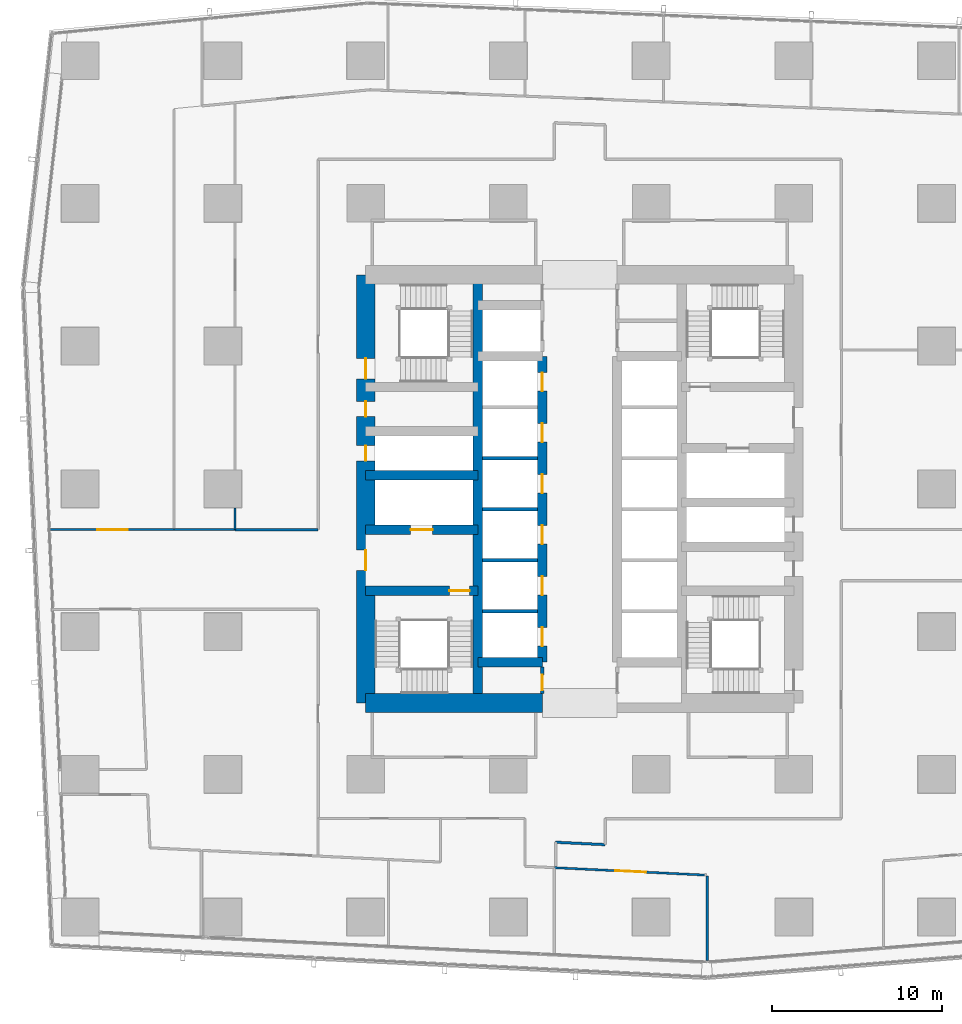
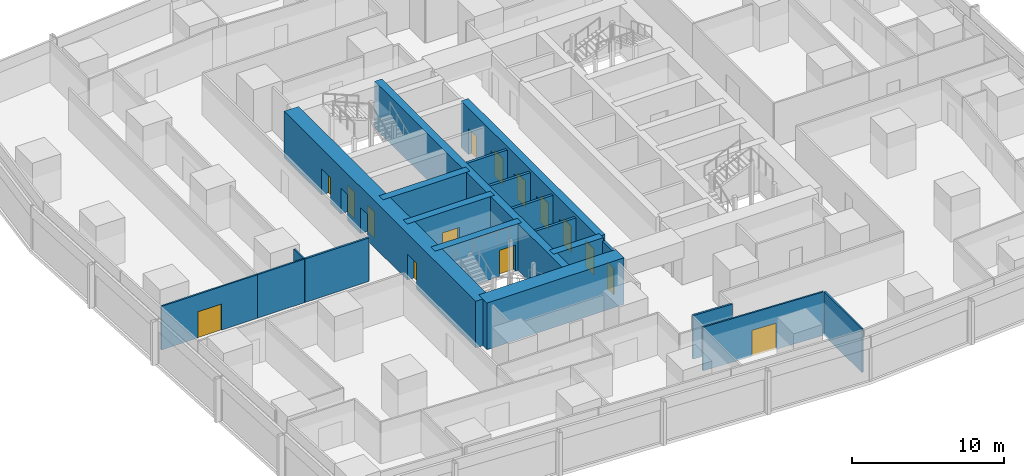
# One storey, part 32 of 44: 20 walls, 15 doors, 15 openings.
"""IFC4 building model written with IfcOpenShell, lengths in metres."""

from ifc_helpers import new_model, si_unit, direction, frame, frame_2d, origin, place, context, subcontext, project, spatial, rectangle, extrude, material, layer, layer_set, type_object, element, fill, save


model = new_model("IFC4")

# Units and contexts
model_context = context("Model", 3, precision=1e-05, world=origin(), true_north=direction((0.0, 1.0)))
body_context = subcontext(model_context, "Body", "Model", "MODEL_VIEW")
ifc_project = project(units=[si_unit("LENGTHUNIT", "METRE"), si_unit("AREAUNIT", "SQUARE_METRE"), si_unit("VOLUMEUNIT", "CUBIC_METRE"), si_unit("PLANEANGLEUNIT", "RADIAN"), si_unit("MASSUNIT", "GRAM", prefix="KILO")], contexts=[model_context])

# Site, building, storey
site_placement = place(None, origin())
site = spatial("IfcSite", under=ifc_project, at=site_placement, CompositionType="ELEMENT")
building_placement = place(site_placement, origin())
building = spatial("IfcBuilding", under=site, at=building_placement, Name="Rekha Terrace Tower", CompositionType="ELEMENT")
storey_placement = place(building_placement, frame((0.0, 0.0, 59.14990234375)))
storey = spatial("IfcBuildingStorey", under=building, at=storey_placement, Name="L14", CompositionType="ELEMENT", Elevation=59.14990234375)

# Wall
ifc_material_1 = material(Name="Concrete M70", Category="concrete")
ifc_layer_1 = layer(ifc_material_1, 0.550048828125)
ifc_layer_set_1 = layer_set([ifc_layer_1], Name="Concrete M70")
wall_type_1 = type_object("IfcWallType", Name="CI1 550 core internal shear wall", PredefinedType="SHEAR", material=ifc_layer_set_1)
wall_1_placement = place(storey_placement, frame((31.800048828125, 21.0, 0.0), z_axis=(0.0, 0.0, 1.0), x_axis=(0.0, 1.0, 0.0)))
element("IfcWall", 1, at=wall_1_placement, inside=storey, type_object=wall_type_1, Name="Core wall X318 L14", PredefinedType="SHEAR", context=body_context, shape_type="SweptSolid", body=[
    extrude(rectangle(XDim=25.199951171875, YDim=0.550048828125, at=frame_2d((12.60009765625, 0.0))), origin(), (0.0, 0.0, 1.0), 3.75),
])

# Wall, openings, doors
wall_2_placement = place(storey_placement, frame((35.60009765625, 23.39990234375, 0.0), z_axis=(0.0, 0.0, 1.0), x_axis=(0.0, 1.0, 0.0)))
wall_2 = element("IfcWall", 2, at=wall_2_placement, inside=storey, type_object=wall_type_1, Name="Core wall X356 L14", PredefinedType="SHEAR", context=body_context, shape_type="SweptSolid", body=[
    extrude(rectangle(XDim=18.0, YDim=0.550048828125, at=frame_2d((9.0, 0.0))), origin(), (0.0, 0.0, 1.0), 3.75),
])
opening_1_placement = place(wall_2_placement, frame((0.949951171875, 0.0, 0.0)))
opening_1 = element("IfcOpeningElement", 3, at=opening_1_placement, cuts=wall_2, Name="Opening LD1", PredefinedType="OPENING", context=body_context, shape_type="SweptSolid", body=[
    extrude(rectangle(XDim=1.10009765625, YDim=2.10009765625, at=frame_2d((0.550048828125, 1.050048828125))), frame((0.0, 0.284912109375, 0.0), z_axis=(0.0, -1.0, 0.0), x_axis=(1.0, 0.0, 0.0)), (0.0, 0.0, 1.0), 0.570068359375),
])
opening_2_placement = place(wall_2_placement, frame((3.949951171875, 0.0, 0.0)))
opening_2 = element("IfcOpeningElement", 4, at=opening_2_placement, cuts=wall_2, Name="Opening LD1", PredefinedType="OPENING", context=body_context, shape_type="SweptSolid", body=[
    extrude(rectangle(XDim=1.10009765625, YDim=2.10009765625, at=frame_2d((0.550048828125, 1.050048828125))), frame((0.0, 0.284912109375, 0.0), z_axis=(0.0, -1.0, 0.0), x_axis=(1.0, 0.0, 0.0)), (0.0, 0.0, 1.0), 0.570068359375),
])
opening_3_placement = place(wall_2_placement, frame((6.949951171875, 0.0, 0.0)))
opening_3 = element("IfcOpeningElement", 5, at=opening_3_placement, cuts=wall_2, Name="Opening LD1", PredefinedType="OPENING", context=body_context, shape_type="SweptSolid", body=[
    extrude(rectangle(XDim=1.10009765625, YDim=2.10009765625, at=frame_2d((0.550048828125, 1.050048828125))), frame((0.0, 0.284912109375, 0.0), z_axis=(0.0, -1.0, 0.0), x_axis=(1.0, 0.0, 0.0)), (0.0, 0.0, 1.0), 0.570068359375),
])
opening_4_placement = place(wall_2_placement, frame((9.949951171875, 0.0, 0.0)))
opening_4 = element("IfcOpeningElement", 6, at=opening_4_placement, cuts=wall_2, Name="Opening LD1", PredefinedType="OPENING", context=body_context, shape_type="SweptSolid", body=[
    extrude(rectangle(XDim=1.10009765625, YDim=2.10009765625, at=frame_2d((0.550048828125, 1.050048828125))), frame((0.0, 0.284912109375, 0.0), z_axis=(0.0, -1.0, 0.0), x_axis=(1.0, 0.0, 0.0)), (0.0, 0.0, 1.0), 0.570068359375),
])
opening_5_placement = place(wall_2_placement, frame((12.949951171875, 0.0, 0.0)))
opening_5 = element("IfcOpeningElement", 7, at=opening_5_placement, cuts=wall_2, Name="Opening LD1", PredefinedType="OPENING", context=body_context, shape_type="SweptSolid", body=[
    extrude(rectangle(XDim=1.10009765625, YDim=2.10009765625, at=frame_2d((0.550048828125, 1.050048828125))), frame((0.0, 0.284912109375, 0.0), z_axis=(0.0, -1.0, 0.0), x_axis=(1.0, 0.0, 0.0)), (0.0, 0.0, 1.0), 0.570068359375),
])
opening_6_placement = place(wall_2_placement, frame((15.949951171875, 0.0, 0.0)))
opening_6 = element("IfcOpeningElement", 8, at=opening_6_placement, cuts=wall_2, Name="Opening LD1", PredefinedType="OPENING", context=body_context, shape_type="SweptSolid", body=[
    extrude(rectangle(XDim=1.10009765625, YDim=2.10009765625, at=frame_2d((0.550048828125, 1.050048828125))), frame((0.0, 0.284912109375, 0.0), z_axis=(0.0, -1.0, 0.0), x_axis=(1.0, 0.0, 0.0)), (0.0, 0.0, 1.0), 0.570068359375),
])
ifc_material_2 = material(Name="Stainless steel sliding landing door", Category="steel")
door_type_1 = type_object("IfcDoorType", Name="LD1 1100x2100 lift landing door", OperationType="SLIDING_TO_LEFT", PredefinedType="USERDEFINED", material=ifc_material_2)
door_1_placement = place(opening_1_placement, origin())
door_1 = element("IfcDoor", 9, at=door_1_placement, inside=storey, type_object=door_type_1, Name="Lift A1 landing door L14", ObjectType="LIFT LANDING DOOR", OperationType="SLIDING_TO_LEFT", OverallHeight=2.10009765625, OverallWidth=1.10009765625, PredefinedType="USERDEFINED", context=body_context, shape_type="SweptSolid", body=[
    extrude(rectangle(XDim=1.10009765625, YDim=2.10009765625, at=frame_2d((0.550048828125, 1.050048828125))), frame((0.0, 0.02490234375, 0.0), z_axis=(0.0, -1.0, 0.0), x_axis=(1.0, 0.0, 0.0)), (0.0, 0.0, 1.0), 0.050048828125),
])
fill(opening_1, door_1)
door_2_placement = place(opening_2_placement, origin())
door_2 = element("IfcDoor", 10, at=door_2_placement, inside=storey, type_object=door_type_1, Name="Lift A2 landing door L14", ObjectType="LIFT LANDING DOOR", OperationType="SLIDING_TO_LEFT", OverallHeight=2.10009765625, OverallWidth=1.10009765625, PredefinedType="USERDEFINED", context=body_context, shape_type="SweptSolid", body=[
    extrude(rectangle(XDim=1.10009765625, YDim=2.10009765625, at=frame_2d((0.550048828125, 1.050048828125))), frame((0.0, 0.02490234375, 0.0), z_axis=(0.0, -1.0, 0.0), x_axis=(1.0, 0.0, 0.0)), (0.0, 0.0, 1.0), 0.050048828125),
])
fill(opening_2, door_2)
door_3_placement = place(opening_3_placement, origin())
door_3 = element("IfcDoor", 11, at=door_3_placement, inside=storey, type_object=door_type_1, Name="Lift A3 landing door L14", ObjectType="LIFT LANDING DOOR", OperationType="SLIDING_TO_LEFT", OverallHeight=2.10009765625, OverallWidth=1.10009765625, PredefinedType="USERDEFINED", context=body_context, shape_type="SweptSolid", body=[
    extrude(rectangle(XDim=1.10009765625, YDim=2.10009765625, at=frame_2d((0.550048828125, 1.050048828125))), frame((0.0, 0.02490234375, 0.0), z_axis=(0.0, -1.0, 0.0), x_axis=(1.0, 0.0, 0.0)), (0.0, 0.0, 1.0), 0.050048828125),
])
fill(opening_3, door_3)
door_4_placement = place(opening_4_placement, origin())
door_4 = element("IfcDoor", 12, at=door_4_placement, inside=storey, type_object=door_type_1, Name="Lift A4 landing door L14", ObjectType="LIFT LANDING DOOR", OperationType="SLIDING_TO_LEFT", OverallHeight=2.10009765625, OverallWidth=1.10009765625, PredefinedType="USERDEFINED", context=body_context, shape_type="SweptSolid", body=[
    extrude(rectangle(XDim=1.10009765625, YDim=2.10009765625, at=frame_2d((0.550048828125, 1.050048828125))), frame((0.0, 0.02490234375, 0.0), z_axis=(0.0, -1.0, 0.0), x_axis=(1.0, 0.0, 0.0)), (0.0, 0.0, 1.0), 0.050048828125),
])
fill(opening_4, door_4)
door_5_placement = place(opening_5_placement, origin())
door_5 = element("IfcDoor", 13, at=door_5_placement, inside=storey, type_object=door_type_1, Name="Lift A5 landing door L14", ObjectType="LIFT LANDING DOOR", OperationType="SLIDING_TO_LEFT", OverallHeight=2.10009765625, OverallWidth=1.10009765625, PredefinedType="USERDEFINED", context=body_context, shape_type="SweptSolid", body=[
    extrude(rectangle(XDim=1.10009765625, YDim=2.10009765625, at=frame_2d((0.550048828125, 1.050048828125))), frame((0.0, 0.02490234375, 0.0), z_axis=(0.0, -1.0, 0.0), x_axis=(1.0, 0.0, 0.0)), (0.0, 0.0, 1.0), 0.050048828125),
])
fill(opening_5, door_5)
door_6_placement = place(opening_6_placement, origin())
door_6 = element("IfcDoor", 14, at=door_6_placement, inside=storey, type_object=door_type_1, Name="Lift A6 landing door L14", ObjectType="LIFT LANDING DOOR", OperationType="SLIDING_TO_LEFT", OverallHeight=2.10009765625, OverallWidth=1.10009765625, PredefinedType="USERDEFINED", context=body_context, shape_type="SweptSolid", body=[
    extrude(rectangle(XDim=1.10009765625, YDim=2.10009765625, at=frame_2d((0.550048828125, 1.050048828125))), frame((0.0, 0.02490234375, 0.0), z_axis=(0.0, -1.0, 0.0), x_axis=(1.0, 0.0, 0.0)), (0.0, 0.0, 1.0), 0.050048828125),
])
fill(opening_6, door_6)

# Wall
wall_3_placement = place(storey_placement, frame((31.800048828125, 23.39990234375, 0.0), z_axis=(0.0, 0.0, 1.0), x_axis=(1.0, 0.0, 0.0)))
element("IfcWall", 15, at=wall_3_placement, inside=storey, type_object=wall_type_1, Name="Core wall Y234W L14", PredefinedType="SHEAR", context=body_context, shape_type="SweptSolid", body=[
    extrude(rectangle(XDim=3.800048828125, YDim=0.550048828125, at=frame_2d((1.89990234375, 0.0))), origin(), (0.0, 0.0, 1.0), 3.75),
])

# Wall, opening, door
wall_4_placement = place(storey_placement, frame((25.199951171875, 27.60009765625, 0.0), z_axis=(0.0, 0.0, 1.0), x_axis=(1.0, 0.0, 0.0)))
wall_4 = element("IfcWall", 16, at=wall_4_placement, inside=storey, type_object=wall_type_1, Name="Core wall Y276W L14", PredefinedType="SHEAR", context=body_context, shape_type="SweptSolid", body=[
    extrude(rectangle(XDim=6.60009765625, YDim=0.550048828125, at=frame_2d((3.300048828125, 0.0))), origin(), (0.0, 0.0, 1.0), 3.75),
])
opening_7_placement = place(wall_4_placement, frame((4.925048828125, 0.0, 0.0)))
opening_7 = element("IfcOpeningElement", 17, at=opening_7_placement, cuts=wall_4, Name="Opening D1", PredefinedType="OPENING", context=body_context, shape_type="SweptSolid", body=[
    extrude(rectangle(XDim=1.199951171875, YDim=2.10009765625, at=frame_2d((0.60009765625, 1.050048828125))), frame((0.0, 0.284912109375, 0.0), z_axis=(0.0, -1.0, 0.0), x_axis=(1.0, 0.0, 0.0)), (0.0, 0.0, 1.0), 0.570068359375),
])
ifc_material_3 = material(Name="Steel fire door", Category="steel")
door_type_2 = type_object("IfcDoorType", Name="D1 1200x2100 stair fire door", OperationType="SINGLE_SWING_RIGHT", PredefinedType="DOOR", material=ifc_material_3)
door_7_placement = place(opening_7_placement, origin())
door_7 = element("IfcDoor", 18, at=door_7_placement, inside=storey, type_object=door_type_2, Name="Stair ST1 door L14", OperationType="SINGLE_SWING_RIGHT", OverallHeight=2.10009765625, OverallWidth=1.199951171875, PredefinedType="DOOR", context=body_context, shape_type="SweptSolid", body=[
    extrude(rectangle(XDim=1.199951171875, YDim=2.10009765625, at=frame_2d((0.60009765625, 1.050048828125))), frame((0.0, 0.02490234375, 0.0), z_axis=(0.0, -1.0, 0.0), x_axis=(1.0, 0.0, 0.0)), (0.0, 0.0, 1.0), 0.050048828125),
])
fill(opening_7, door_7)

wall_5_placement = place(storey_placement, frame((25.199951171875, 31.199951171875, 0.0), z_axis=(0.0, 0.0, 1.0), x_axis=(1.0, 0.0, 0.0)))
wall_5 = element("IfcWall", 19, at=wall_5_placement, inside=storey, type_object=wall_type_1, Name="Core wall Y312W L14", PredefinedType="SHEAR", context=body_context, shape_type="SweptSolid", body=[
    extrude(rectangle(XDim=6.60009765625, YDim=0.550048828125, at=frame_2d((3.300048828125, 0.0))), origin(), (0.0, 0.0, 1.0), 3.75),
])
opening_8_placement = place(wall_5_placement, frame((2.64990234375, 0.0, 0.0)))
opening_8 = element("IfcOpeningElement", 20, at=opening_8_placement, cuts=wall_5, Name="Opening LD2", PredefinedType="OPENING", context=body_context, shape_type="SweptSolid", body=[
    extrude(rectangle(XDim=1.300048828125, YDim=2.10009765625, at=frame_2d((0.64990234375, 1.050048828125))), frame((0.0, 0.284912109375, 0.0), z_axis=(0.0, -1.0, 0.0), x_axis=(1.0, 0.0, 0.0)), (0.0, 0.0, 1.0), 0.570068359375),
])
door_type_3 = type_object("IfcDoorType", Name="LD2 1300x2100 fire lift landing door", OperationType="SLIDING_TO_LEFT", PredefinedType="USERDEFINED", material=ifc_material_2)
door_8_placement = place(opening_8_placement, origin())
door_8 = element("IfcDoor", 21, at=door_8_placement, inside=storey, type_object=door_type_3, Name="Lift FL1 landing door L14", ObjectType="LIFT LANDING DOOR", OperationType="SLIDING_TO_LEFT", OverallHeight=2.10009765625, OverallWidth=1.300048828125, PredefinedType="USERDEFINED", context=body_context, shape_type="SweptSolid", body=[
    extrude(rectangle(XDim=1.300048828125, YDim=2.10009765625, at=frame_2d((0.64990234375, 1.050048828125))), frame((0.0, 0.02490234375, 0.0), z_axis=(0.0, -1.0, 0.0), x_axis=(1.0, 0.0, 0.0)), (0.0, 0.0, 1.0), 0.050048828125),
])
fill(opening_8, door_8)

# Walls
wall_6_placement = place(storey_placement, frame((25.199951171875, 34.39990234375, 0.0), z_axis=(0.0, 0.0, 1.0), x_axis=(1.0, 0.0, 0.0)))
element("IfcWall", 22, at=wall_6_placement, inside=storey, type_object=wall_type_1, Name="Core wall Y344W L14", PredefinedType="SHEAR", context=body_context, shape_type="SweptSolid", body=[
    extrude(rectangle(XDim=6.60009765625, YDim=0.550048828125, at=frame_2d((3.300048828125, 0.0))), origin(), (0.0, 0.0, 1.0), 3.75),
])
ifc_layer_2 = layer(ifc_material_1, 1.10009765625)
ifc_layer_set_2 = layer_set([ifc_layer_2], Name="Concrete M70")
wall_type_2 = type_object("IfcWallType", Name="SW1 1100 core outer shear wall", PredefinedType="SHEAR", material=ifc_layer_set_2)
wall_7_placement = place(storey_placement, frame((25.199951171875, 21.0, 0.0), z_axis=(0.0, 0.0, 1.0), x_axis=(1.0, 0.0, 0.0)))
element("IfcWall", 23, at=wall_7_placement, inside=storey, type_object=wall_type_2, Name="Core wall S1 L14", PredefinedType="SHEAR", context=body_context, shape_type="SweptSolid", body=[
    extrude(rectangle(XDim=10.400146484375, YDim=1.10009765625, at=frame_2d((5.2001953125, 0.0))), origin(), (0.0, 0.0, 1.0), 3.75),
])

# Wall, openings, doors
wall_8_placement = place(storey_placement, frame((25.199951171875, 21.0, 0.0), z_axis=(0.0, 0.0, 1.0), x_axis=(0.0, 1.0, 0.0)))
wall_8 = element("IfcWall", 24, at=wall_8_placement, inside=storey, type_object=wall_type_2, Name="Core wall W L14", PredefinedType="SHEAR", context=body_context, shape_type="SweptSolid", body=[
    extrude(rectangle(XDim=25.199951171875, YDim=1.10009765625, at=frame_2d((12.60009765625, 0.0))), origin(), (0.0, 0.0, 1.0), 3.75),
])
opening_9_placement = place(wall_8_placement, frame((7.800048828125, 0.0, 0.0)))
opening_9 = element("IfcOpeningElement", 25, at=opening_9_placement, cuts=wall_8, Name="Opening D2", PredefinedType="OPENING", context=body_context, shape_type="SweptSolid", body=[
    extrude(rectangle(XDim=1.199951171875, YDim=2.10009765625, at=frame_2d((0.60009765625, 1.050048828125))), frame((0.0, 0.56005859375, 0.0), z_axis=(0.0, -1.0, 0.0), x_axis=(1.0, 0.0, 0.0)), (0.0, 0.0, 1.0), 1.1201171875),
])
opening_10_placement = place(wall_8_placement, frame((14.25, 0.0, 0.0)))
opening_10 = element("IfcOpeningElement", 26, at=opening_10_placement, cuts=wall_8, Name="Opening D5", PredefinedType="OPENING", context=body_context, shape_type="SweptSolid", body=[
    extrude(rectangle(XDim=0.89990234375, YDim=2.10009765625, at=frame_2d((0.449951171875, 1.050048828125))), frame((0.0, 0.56005859375, 0.0), z_axis=(0.0, -1.0, 0.0), x_axis=(1.0, 0.0, 0.0)), (0.0, 0.0, 1.0), 1.1201171875),
])
opening_11_placement = place(wall_8_placement, frame((16.85009765625, 0.0, 0.0)))
opening_11 = element("IfcOpeningElement", 27, at=opening_11_placement, cuts=wall_8, Name="Opening D5", PredefinedType="OPENING", context=body_context, shape_type="SweptSolid", body=[
    extrude(rectangle(XDim=0.89990234375, YDim=2.10009765625, at=frame_2d((0.449951171875, 1.050048828125))), frame((0.0, 0.56005859375, 0.0), z_axis=(0.0, -1.0, 0.0), x_axis=(1.0, 0.0, 0.0)), (0.0, 0.0, 1.0), 1.1201171875),
])
opening_12_placement = place(wall_8_placement, frame((19.074951171875, 0.0, 0.0)))
opening_12 = element("IfcOpeningElement", 28, at=opening_12_placement, cuts=wall_8, Name="Opening D1", PredefinedType="OPENING", context=body_context, shape_type="SweptSolid", body=[
    extrude(rectangle(XDim=1.199951171875, YDim=2.10009765625, at=frame_2d((0.60009765625, 1.050048828125))), frame((0.0, 0.56005859375, 0.0), z_axis=(0.0, -1.0, 0.0), x_axis=(1.0, 0.0, 0.0)), (0.0, 0.0, 1.0), 1.1201171875),
])
door_9_placement = place(opening_12_placement, origin())
door_9 = element("IfcDoor", 29, at=door_9_placement, inside=storey, type_object=door_type_2, Name="Stair ST4 door L14", OperationType="SINGLE_SWING_RIGHT", OverallHeight=2.10009765625, OverallWidth=1.199951171875, PredefinedType="DOOR", context=body_context, shape_type="SweptSolid", body=[
    extrude(rectangle(XDim=1.199951171875, YDim=2.10009765625, at=frame_2d((0.60009765625, 1.050048828125))), frame((0.0, 0.02490234375, 0.0), z_axis=(0.0, -1.0, 0.0), x_axis=(1.0, 0.0, 0.0)), (0.0, 0.0, 1.0), 0.050048828125),
])
fill(opening_12, door_9)
door_type_4 = type_object("IfcDoorType", Name="D2 1200x2100 firefighting lobby door", OperationType="SINGLE_SWING_LEFT", PredefinedType="DOOR", material=ifc_material_3)
door_10_placement = place(opening_9_placement, origin())
door_10 = element("IfcDoor", 30, at=door_10_placement, inside=storey, type_object=door_type_4, Name="Door flb1 L14", OperationType="SINGLE_SWING_LEFT", OverallHeight=2.10009765625, OverallWidth=1.199951171875, PredefinedType="DOOR", context=body_context, shape_type="SweptSolid", body=[
    extrude(rectangle(XDim=1.199951171875, YDim=2.10009765625, at=frame_2d((0.60009765625, 1.050048828125))), frame((0.0, 0.02490234375, 0.0), z_axis=(0.0, -1.0, 0.0), x_axis=(1.0, 0.0, 0.0)), (0.0, 0.0, 1.0), 0.050048828125),
])
fill(opening_9, door_10)
door_type_5 = type_object("IfcDoorType", Name="D5 900x2100 riser access door", OperationType="SINGLE_SWING_LEFT", PredefinedType="DOOR", material=ifc_material_3)
door_11_placement = place(opening_10_placement, origin())
door_11 = element("IfcDoor", 31, at=door_11_placement, inside=storey, type_object=door_type_5, Name="Door rs1 L14", OperationType="SINGLE_SWING_LEFT", OverallHeight=2.10009765625, OverallWidth=0.89990234375, PredefinedType="DOOR", context=body_context, shape_type="SweptSolid", body=[
    extrude(rectangle(XDim=0.89990234375, YDim=2.10009765625, at=frame_2d((0.449951171875, 1.050048828125))), frame((0.0, 0.02490234375, 0.0), z_axis=(0.0, -1.0, 0.0), x_axis=(1.0, 0.0, 0.0)), (0.0, 0.0, 1.0), 0.050048828125),
])
fill(opening_10, door_11)
door_12_placement = place(opening_11_placement, origin())
door_12 = element("IfcDoor", 32, at=door_12_placement, inside=storey, type_object=door_type_5, Name="Door elw L14", OperationType="SINGLE_SWING_LEFT", OverallHeight=2.10009765625, OverallWidth=0.89990234375, PredefinedType="DOOR", context=body_context, shape_type="SweptSolid", body=[
    extrude(rectangle(XDim=0.89990234375, YDim=2.10009765625, at=frame_2d((0.449951171875, 1.050048828125))), frame((0.0, 0.02490234375, 0.0), z_axis=(0.0, -1.0, 0.0), x_axis=(1.0, 0.0, 0.0)), (0.0, 0.0, 1.0), 0.050048828125),
])
fill(opening_11, door_12)

# Walls
ifc_material_4 = material(Name="Concrete block masonry, 1 hour", Category="masonry")
ifc_layer_3 = layer(ifc_material_4, 0.14990234375)
ifc_layer_set_3 = layer_set([ifc_layer_3], Name="Concrete block masonry, 1 hour")
wall_type_3 = type_object("IfcWallType", Name="WP2 150 tenancy partition", PredefinedType="PARTITIONING", material=ifc_layer_set_3)
wall_9_placement = place(storey_placement, frame((36.384033203125, 12.805908203125, 0.0), z_axis=(0.0, 0.0, 1.0), x_axis=(0.99880270372, -0.048919924789, 0.0)))
element("IfcWall", 33, at=wall_9_placement, inside=storey, type_object=wall_type_3, Name="Partition L14-O1", PredefinedType="PARTITIONING", context=body_context, shape_type="SweptSolid", body=[
    extrude(rectangle(XDim=2.91943359375, YDim=0.14990234375, at=frame_2d((1.459716796875, 0.0))), origin(), (0.0, 0.0, 1.0), 3.5),
])
wall_10_placement = place(storey_placement, frame((22.39990234375, 31.199951171875, 0.0), z_axis=(0.0, 0.0, 1.0), x_axis=(-1.0, 0.0, 0.0)))
element("IfcWall", 34, at=wall_10_placement, inside=storey, type_object=wall_type_3, Name="Partition L14-O3", PredefinedType="PARTITIONING", context=body_context, shape_type="SweptSolid", body=[
    extrude(rectangle(XDim=4.8828125, YDim=0.14990234375, at=frame_2d((2.44140625, 0.0))), origin(), (0.0, 0.0, 1.0), 3.5),
])
ifc_material_5 = material(Name="Two layers of fire-rated gypsum board each side on steel studs, acoustic quilt, 1 hour", Category="steel")
ifc_layer_4 = layer(ifc_material_5, 0.125)
ifc_layer_set_4 = layer_set([ifc_layer_4], Name="Two layers of fire-rated gypsum board each side on steel studs, acoustic quilt, 1 hour")
wall_type_4 = type_object("IfcWallType", Name="WP3 125 office partition", PredefinedType="PARTITIONING", material=ifc_layer_set_4)
wall_11_placement = place(storey_placement, frame((45.303955078125, 10.805908203125, 0.0), z_axis=(0.0, 0.0, 1.0), x_axis=(0.0, -1.0, 0.0)))
element("IfcWall", 35, at=wall_11_placement, inside=storey, type_object=wall_type_4, Name="Partition L14-02", PredefinedType="PARTITIONING", context=body_context, shape_type="SweptSolid", body=[
    extrude(rectangle(XDim=4.9609375, YDim=0.125, at=frame_2d((2.48046875, 0.0))), origin(), (0.0, 0.0, 1.0), 3.5),
])

# Wall, opening, door
wall_12_placement = place(storey_placement, frame((36.299072265625, 11.30908203125, 0.0), z_axis=(0.0, 0.0, 1.0), x_axis=(0.998795041163, -0.049076121979, 0.0)))
wall_12 = element("IfcWall", 36, at=wall_12_placement, inside=storey, type_object=wall_type_4, Name="Partition L14-02", PredefinedType="PARTITIONING", context=body_context, shape_type="SweptSolid", body=[
    extrude(rectangle(XDim=8.90478515625, YDim=0.125, at=frame_2d((4.452392578125, 0.0))), origin(), (0.0, 0.0, 1.0), 3.5),
])
opening_13_placement = place(wall_12_placement, frame((3.60791015625, 0.0, 0.0)))
opening_13 = element("IfcOpeningElement", 37, at=opening_13_placement, cuts=wall_12, Name="Opening D8", PredefinedType="OPENING", context=body_context, shape_type="SweptSolid", body=[
    extrude(rectangle(XDim=1.800048828125, YDim=2.10009765625, at=frame_2d((0.89990234375, 1.050048828125))), frame((0.0, 0.072509765625, 0.0), z_axis=(0.0, -1.0, 0.0), x_axis=(1.0, 0.0, 0.0)), (0.0, 0.0, 1.0), 0.14501953125),
])
ifc_material_6 = material(Name="Timber fire door", Category="wood")
door_type_6 = type_object("IfcDoorType", Name="D8 1800x2100 double leaf door", OperationType="DOUBLE_DOOR_SINGLE_SWING", PredefinedType="DOOR", material=ifc_material_6)
door_13_placement = place(opening_13_placement, origin())
door_13 = element("IfcDoor", 38, at=door_13_placement, inside=storey, type_object=door_type_6, Name="Door meeting room L14", OperationType="DOUBLE_DOOR_SINGLE_SWING", OverallHeight=2.10009765625, OverallWidth=1.800048828125, PredefinedType="DOOR", context=body_context, shape_type="SweptSolid", body=[
    extrude(rectangle(XDim=1.800048828125, YDim=2.10009765625, at=frame_2d((0.89990234375, 1.050048828125))), frame((0.0, 0.02490234375, 0.0), z_axis=(0.0, -1.0, 0.0), x_axis=(1.0, 0.0, 0.0)), (0.0, 0.0, 1.0), 0.050048828125),
])
fill(opening_13, door_13)

wall_13_placement = place(storey_placement, frame((13.9169921875, 31.199951171875, 0.0), z_axis=(0.0, 0.0, 1.0), x_axis=(-1.0, 0.0, 0.0)))
wall_13 = element("IfcWall", 39, at=wall_13_placement, inside=storey, type_object=wall_type_4, Name="Partition L14-21", PredefinedType="PARTITIONING", context=body_context, shape_type="SweptSolid", body=[
    extrude(rectangle(XDim=7.281982421875, YDim=0.125, at=frame_2d((3.64111328125, 0.0))), origin(), (0.0, 0.0, 1.0), 3.5),
])
opening_14_placement = place(wall_13_placement, frame((2.72607421875, 0.0, 0.0)))
opening_14 = element("IfcOpeningElement", 40, at=opening_14_placement, cuts=wall_13, Name="Opening D8", PredefinedType="OPENING", context=body_context, shape_type="SweptSolid", body=[
    extrude(rectangle(XDim=1.800048828125, YDim=2.10009765625, at=frame_2d((0.89990234375, 1.050048828125))), frame((0.0, 0.072509765625, 0.0), z_axis=(0.0, -1.0, 0.0), x_axis=(1.0, 0.0, 0.0)), (0.0, 0.0, 1.0), 0.14501953125),
])
door_14_placement = place(opening_14_placement, origin())
door_14 = element("IfcDoor", 41, at=door_14_placement, inside=storey, type_object=door_type_6, Name="Door reception L14", OperationType="DOUBLE_DOOR_SINGLE_SWING", OverallHeight=2.10009765625, OverallWidth=1.800048828125, PredefinedType="DOOR", context=body_context, shape_type="SweptSolid", body=[
    extrude(rectangle(XDim=1.800048828125, YDim=2.10009765625, at=frame_2d((0.89990234375, 1.050048828125))), frame((0.0, 0.02490234375, 0.0), z_axis=(0.0, -1.0, 0.0), x_axis=(1.0, 0.0, 0.0)), (0.0, 0.0, 1.0), 0.050048828125),
])
fill(opening_14, door_14)

# Walls
wall_14_placement = place(storey_placement, frame((17.51708984375, 32.47998046875, 0.0), z_axis=(0.0, 0.0, 1.0), x_axis=(0.0, -1.0, 0.0)))
element("IfcWall", 42, at=wall_14_placement, inside=storey, type_object=wall_type_4, Name="Partition L14-22", PredefinedType="PARTITIONING", context=body_context, shape_type="SweptSolid", body=[
    extrude(rectangle(XDim=1.280029296875, YDim=0.125, at=frame_2d((0.64013671875, 0.0))), origin(), (0.0, 0.0, 1.0), 3.5),
])
wall_15_placement = place(storey_placement, frame((17.51708984375, 31.199951171875, 0.0), z_axis=(0.0, 0.0, 1.0), x_axis=(-1.0, 0.0, 0.0)))
element("IfcWall", 43, at=wall_15_placement, inside=storey, type_object=wall_type_4, Name="Partition L14-22", PredefinedType="PARTITIONING", context=body_context, shape_type="SweptSolid", body=[
    extrude(rectangle(XDim=3.60009765625, YDim=0.125, at=frame_2d((1.800048828125, 0.0))), origin(), (0.0, 0.0, 1.0), 3.5),
])
ifc_material_7 = material(Name="Solid concrete block masonry, 2 hour", Category="masonry")
ifc_layer_5 = layer(ifc_material_7, 0.199951171875)
ifc_layer_set_5 = layer_set([ifc_layer_5], Name="Solid concrete block masonry, 2 hour")
wall_type_5 = type_object("IfcWallType", Name="WS1 200 stair and shaft enclosure", PredefinedType="PARTITIONING", material=ifc_layer_set_5)
for number, where, z_axis, x_axis, name in (
    (44, (32.074951171875, 26.39990234375, 0.0), (0.0, 0.0, 1.0), (1.0, 0.0, 0.0), "Lift shaft divider L14"),
    (45, (32.074951171875, 29.39990234375, 0.0), (0.0, 0.0, 1.0), (1.0, 0.0, 0.0), "Lift shaft divider L14"),
    (46, (32.074951171875, 32.39990234375, 0.0), (0.0, 0.0, 1.0), (1.0, 0.0, 0.0), "Lift shaft divider L14"),
    (47, (32.074951171875, 35.39990234375, 0.0), (0.0, 0.0, 1.0), (1.0, 0.0, 0.0), "Lift shaft divider L14"),
):
    element("IfcWall", number, at=place(storey_placement, frame(where, z_axis=z_axis, x_axis=x_axis)), inside=storey, type_object=wall_type_5, Name=name, PredefinedType="PARTITIONING", context=body_context, shape_type="SweptSolid", body=[
        extrude(rectangle(XDim=3.25, YDim=0.199951171875, at=frame_2d((1.625, 0.0))), origin(), (0.0, 0.0, 1.0), 3.5),
    ])

# Wall, opening, door
wall_16_placement = place(storey_placement, frame((35.60009765625, 21.550048828125, 0.0), z_axis=(0.0, 0.0, 1.0), x_axis=(0.0, 1.0, 0.0)))
wall_16 = element("IfcWall", 48, at=wall_16_placement, inside=storey, type_object=wall_type_5, Name="Core partition west L14", PredefinedType="PARTITIONING", context=body_context, shape_type="SweptSolid", body=[
    extrude(rectangle(XDim=1.574951171875, YDim=0.199951171875, at=frame_2d((0.78759765625, 0.0))), origin(), (0.0, 0.0, 1.0), 3.5),
])
opening_15_placement = place(wall_16_placement, frame((0.199951171875, 0.0, 0.0)))
opening_15 = element("IfcOpeningElement", 49, at=opening_15_placement, cuts=wall_16, Name="Opening D5", PredefinedType="OPENING", context=body_context, shape_type="SweptSolid", body=[
    extrude(rectangle(XDim=0.89990234375, YDim=2.10009765625, at=frame_2d((0.449951171875, 1.050048828125))), frame((0.0, 0.10986328125, 0.0), z_axis=(0.0, -1.0, 0.0), x_axis=(1.0, 0.0, 0.0)), (0.0, 0.0, 1.0), 0.219970703125),
])
door_15_placement = place(opening_15_placement, origin())
door_15 = element("IfcDoor", 50, at=door_15_placement, inside=storey, type_object=door_type_5, Name="Door cleaner's store L14", OperationType="SINGLE_SWING_LEFT", OverallHeight=2.10009765625, OverallWidth=0.89990234375, PredefinedType="DOOR", context=body_context, shape_type="SweptSolid", body=[
    extrude(rectangle(XDim=0.89990234375, YDim=2.10009765625, at=frame_2d((0.449951171875, 1.050048828125))), frame((0.0, 0.02490234375, 0.0), z_axis=(0.0, -1.0, 0.0), x_axis=(1.0, 0.0, 0.0)), (0.0, 0.0, 1.0), 0.050048828125),
])
fill(opening_15, door_15)

save(model, "model.ifc")
